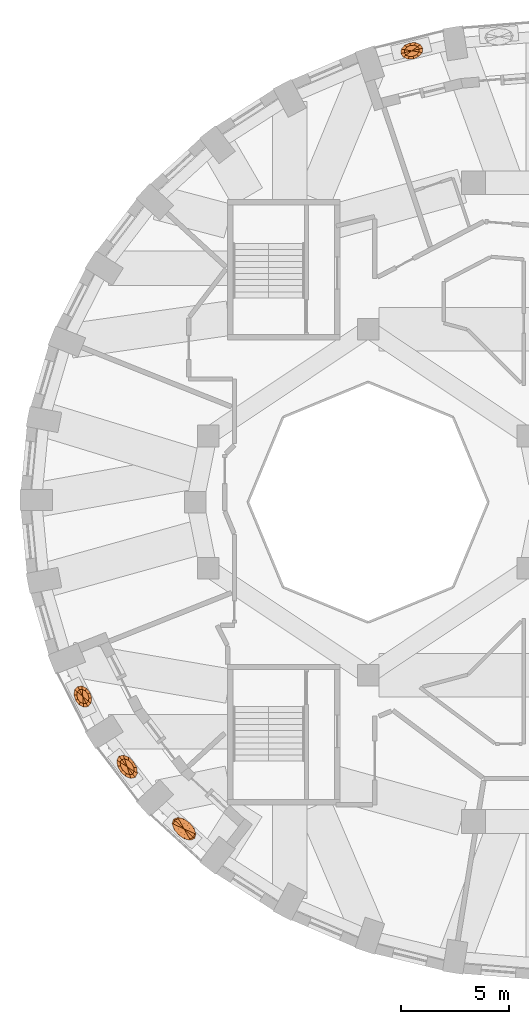
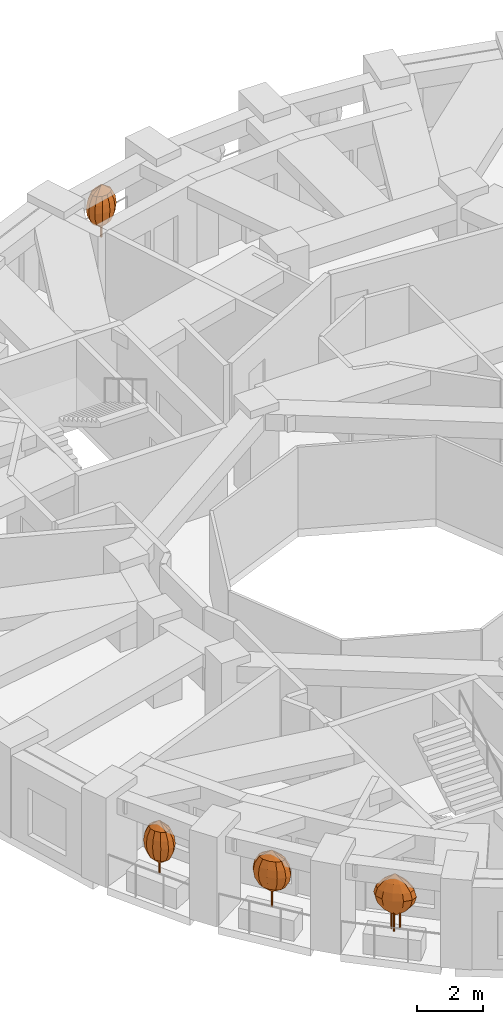
# One storey, part 10 of 11: 4 geographic elements.
"""IFC4 building model written with IfcOpenShell, lengths in metres."""

from ifc_helpers import new_model, si_unit, direction, frame, origin, place, context, subcontext, project, spatial, faceted_brep, material, constituent, constituent_set, type_object, element, save


model = new_model("IFC4")

# Units and contexts
model_context = context("Model", 3, precision=1e-05, world=origin(), true_north=direction((0.0, 1.0)))
body_context = subcontext(model_context, "Body", "Model", "MODEL_VIEW")
ifc_project = project(units=[si_unit("LENGTHUNIT", "METRE"), si_unit("AREAUNIT", "SQUARE_METRE"), si_unit("VOLUMEUNIT", "CUBIC_METRE"), si_unit("PLANEANGLEUNIT", "RADIAN"), si_unit("MASSUNIT", "GRAM", prefix="KILO")], contexts=[model_context])

# Site, building, storey
site_placement = place(None, origin())
site = spatial("IfcSite", under=ifc_project, at=site_placement, CompositionType="ELEMENT")
building_placement = place(site_placement, origin())
building = spatial("IfcBuilding", under=site, at=building_placement, Name="Taillehof Tower", CompositionType="ELEMENT")
storey_placement = place(building_placement, frame((0.0, 0.0, 174.800048828125)))
storey = spatial("IfcBuildingStorey", under=building, at=storey_placement, Name="L49", CompositionType="ELEMENT", Elevation=174.800048828125)

# Geographic elements
ifc_material_1 = material(Name="Tree bark", Category="timber")
ifc_constituent_1 = constituent(ifc_material_1, Name="Trunk", Category="timber")
ifc_material_2 = material(Name="Tree foliage")
ifc_constituent_2 = constituent(ifc_material_2, Name="Crown")
ifc_constituent_set_1 = constituent_set(constituents=[ifc_constituent_1, ifc_constituent_2], Name="Tree TR1 Columnar hornbeam")
geographic_element_type_1 = type_object("IfcGeographicElementType", Name="Tree TR1 Columnar hornbeam", PredefinedType="USERDEFINED", material=ifc_constituent_set_1)
geographic_element_1_placement = place(storey_placement, frame((-19.1455078125, -12.23876953125, 0.75)))
element("IfcGeographicElement", 1, at=geographic_element_1_placement, inside=storey, type_object=geographic_element_type_1, Name="Tree TR1 Columnar hornbeam", ObjectType="TREE", PredefinedType="USERDEFINED", context=body_context, shape_type="Brep", body=[
    faceted_brep([(0.030029296875, 0.0, 0.0), (0.021240234375, 0.021240234375, 0.0), (0.021240234375, 0.021240234375, 1.092529296875), (0.030029296875, 0.0, 1.092529296875), (0.0, 0.030029296875, 0.0), (0.0, 0.030029296875, 1.092529296875), (-0.021240234375, 0.021240234375, 0.0), (-0.021240234375, 0.021240234375, 1.092529296875), (-0.030029296875, 0.0, 0.0), (-0.030029296875, 0.0, 1.092529296875), (-0.021240234375, -0.021240234375, 0.0), (-0.021240234375, -0.021240234375, 1.092529296875), (0.0, -0.030029296875, 0.0), (0.0, -0.030029296875, 1.092529296875), (0.021240234375, -0.021240234375, 0.0), (0.021240234375, -0.021240234375, 1.092529296875)], [[[0, 1, 2, 3]], [[1, 4, 5, 2]], [[4, 6, 7, 5]], [[6, 8, 9, 7]], [[8, 10, 11, 9]], [[10, 12, 13, 11]], [[12, 14, 15, 13]], [[14, 0, 3, 15]], [[14, 12, 10, 8, 6, 4, 1, 0]], [[3, 2, 5, 7, 9, 11, 13, 15]]]),
    faceted_brep([(0.0, 0.0, 0.550048828125), (0.324951171875, -0.211181640625, 0.808349609375), (0.25634765625, -0.3349609375, 0.808349609375), (0.306640625, -0.03076171875, 0.808349609375), (0.2060546875, 0.15771484375, 0.808349609375), (0.05029296875, 0.30419921875, 0.808349609375), (-0.118896484375, 0.368896484375, 0.808349609375), (-0.25634765625, 0.3349609375, 0.808349609375), (-0.324951171875, 0.211181640625, 0.808349609375), (-0.306640625, 0.03076171875, 0.808349609375), (-0.2060546875, -0.15771484375, 0.808349609375), (-0.05029296875, -0.30419921875, 0.808349609375), (0.118896484375, -0.368896484375, 0.808349609375), (0.439697265625, -0.28564453125, 1.066650390625), (0.3466796875, -0.453125, 1.066650390625), (0.414794921875, -0.041748046875, 1.066650390625), (0.27880859375, 0.21337890625, 1.066650390625), (0.068115234375, 0.411376953125, 1.066650390625), (-0.160888671875, 0.4990234375, 1.066650390625), (-0.3466796875, 0.453125, 1.066650390625), (-0.439697265625, 0.28564453125, 1.066650390625), (-0.414794921875, 0.041748046875, 1.066650390625), (-0.27880859375, -0.21337890625, 1.066650390625), (-0.068115234375, -0.411376953125, 1.066650390625), (0.160888671875, -0.4990234375, 1.066650390625), (0.475830078125, -0.30908203125, 1.324951171875), (0.375244140625, -0.490234375, 1.324951171875), (0.448974609375, -0.045166015625, 1.324951171875), (0.3017578125, 0.23095703125, 1.324951171875), (0.07373046875, 0.4453125, 1.324951171875), (-0.174072265625, 0.5400390625, 1.324951171875), (-0.375244140625, 0.490234375, 1.324951171875), (-0.475830078125, 0.30908203125, 1.324951171875), (-0.448974609375, 0.045166015625, 1.324951171875), (-0.3017578125, -0.23095703125, 1.324951171875), (-0.07373046875, -0.4453125, 1.324951171875), (0.174072265625, -0.5400390625, 1.324951171875), (0.439697265625, -0.28564453125, 1.583251953125), (0.3466796875, -0.453125, 1.583251953125), (0.414794921875, -0.041748046875, 1.583251953125), (0.27880859375, 0.21337890625, 1.583251953125), (0.068115234375, 0.411376953125, 1.583251953125), (-0.160888671875, 0.4990234375, 1.583251953125), (-0.3466796875, 0.453125, 1.583251953125), (-0.439697265625, 0.28564453125, 1.583251953125), (-0.414794921875, 0.041748046875, 1.583251953125), (-0.27880859375, -0.21337890625, 1.583251953125), (-0.068115234375, -0.411376953125, 1.583251953125), (0.160888671875, -0.4990234375, 1.583251953125), (0.324951171875, -0.211181640625, 1.841552734375), (0.25634765625, -0.3349609375, 1.841552734375), (0.306640625, -0.03076171875, 1.841552734375), (0.2060546875, 0.15771484375, 1.841552734375), (0.05029296875, 0.30419921875, 1.841552734375), (-0.118896484375, 0.368896484375, 1.841552734375), (-0.25634765625, 0.3349609375, 1.841552734375), (-0.324951171875, 0.211181640625, 1.841552734375), (-0.306640625, 0.03076171875, 1.841552734375), (-0.2060546875, -0.15771484375, 1.841552734375), (-0.05029296875, -0.30419921875, 1.841552734375), (0.118896484375, -0.368896484375, 1.841552734375), (0.0, 0.0, 2.10009765625)], [[[0, 1, 2]], [[0, 3, 1]], [[0, 4, 3]], [[0, 5, 4]], [[0, 6, 5]], [[0, 7, 6]], [[0, 8, 7]], [[0, 9, 8]], [[0, 10, 9]], [[0, 11, 10]], [[0, 12, 11]], [[0, 2, 12]], [[2, 1, 13, 14]], [[1, 3, 15, 13]], [[3, 4, 16, 15]], [[4, 5, 17, 16]], [[5, 6, 18, 17]], [[6, 7, 19, 18]], [[7, 8, 20, 19]], [[8, 9, 21, 20]], [[9, 10, 22, 21]], [[10, 11, 23, 22]], [[11, 12, 24, 23]], [[12, 2, 14, 24]], [[14, 13, 25, 26]], [[13, 15, 27, 25]], [[15, 16, 28, 27]], [[16, 17, 29, 28]], [[17, 18, 30, 29]], [[18, 19, 31, 30]], [[19, 20, 32, 31]], [[20, 21, 33, 32]], [[21, 22, 34, 33]], [[22, 23, 35, 34]], [[23, 24, 36, 35]], [[24, 14, 26, 36]], [[26, 25, 37, 38]], [[25, 27, 39, 37]], [[27, 28, 40, 39]], [[28, 29, 41, 40]], [[29, 30, 42, 41]], [[30, 31, 43, 42]], [[31, 32, 44, 43]], [[32, 33, 45, 44]], [[33, 34, 46, 45]], [[34, 35, 47, 46]], [[35, 36, 48, 47]], [[36, 26, 38, 48]], [[38, 37, 49, 50]], [[37, 39, 51, 49]], [[39, 40, 52, 51]], [[40, 41, 53, 52]], [[41, 42, 54, 53]], [[42, 43, 55, 54]], [[43, 44, 56, 55]], [[44, 45, 57, 56]], [[45, 46, 58, 57]], [[46, 47, 59, 58]], [[47, 48, 60, 59]], [[48, 38, 50, 60]], [[50, 49, 61]], [[49, 51, 61]], [[51, 52, 61]], [[52, 53, 61]], [[53, 54, 61]], [[54, 55, 61]], [[55, 56, 61]], [[56, 57, 61]], [[57, 58, 61]], [[58, 59, 61]], [[59, 60, 61]], [[60, 50, 61]]]),
])
ifc_material_3 = material(Name="Tree bark", Category="timber")
ifc_constituent_3 = constituent(ifc_material_3, Name="Trunk", Category="timber")
ifc_material_4 = material(Name="Tree foliage")
ifc_constituent_4 = constituent(ifc_material_4, Name="Crown")
ifc_constituent_set_2 = constituent_set(constituents=[ifc_constituent_3, ifc_constituent_4], Name="Tree TR2 Fastigiate yew")
geographic_element_type_2 = type_object("IfcGeographicElementType", Name="Tree TR2 Fastigiate yew", PredefinedType="USERDEFINED", material=ifc_constituent_set_2)
geographic_element_2_placement = place(storey_placement, frame((-21.1943359375, -8.99169921875, 0.75)))
element("IfcGeographicElement", 2, at=geographic_element_2_placement, inside=storey, type_object=geographic_element_type_2, Name="Tree TR2 Fastigiate yew", ObjectType="TREE", PredefinedType="USERDEFINED", context=body_context, shape_type="Brep", body=[
    faceted_brep([(0.034912109375, 0.0, 0.0), (0.024658203125, 0.024658203125, 0.0), (0.024658203125, 0.024658203125, 0.909912109375), (0.034912109375, 0.0, 0.909912109375), (0.0, 0.034912109375, 0.0), (0.0, 0.034912109375, 0.909912109375), (-0.024658203125, 0.024658203125, 0.0), (-0.024658203125, 0.024658203125, 0.909912109375), (-0.034912109375, 0.0, 0.0), (-0.034912109375, 0.0, 0.909912109375), (-0.024658203125, -0.024658203125, 0.0), (-0.024658203125, -0.024658203125, 0.909912109375), (0.0, -0.034912109375, 0.0), (0.0, -0.034912109375, 0.909912109375), (0.024658203125, -0.024658203125, 0.0), (0.024658203125, -0.024658203125, 0.909912109375)], [[[0, 1, 2, 3]], [[1, 4, 5, 2]], [[4, 6, 7, 5]], [[6, 8, 9, 7]], [[8, 10, 11, 9]], [[10, 12, 13, 11]], [[12, 14, 15, 13]], [[14, 0, 3, 15]], [[14, 12, 10, 8, 6, 4, 1, 0]], [[3, 2, 5, 7, 9, 11, 13, 15]]]),
    faceted_brep([(0.0, 0.0, 0.35009765625), (0.255859375, -0.21630859375, 0.61669921875), (0.162109375, -0.31787109375, 0.61669921875), (0.28125, -0.056884765625, 0.61669921875), (0.231201171875, 0.117919921875, 0.61669921875), (0.119140625, 0.260986328125, 0.61669921875), (-0.024658203125, 0.334228515625, 0.61669921875), (-0.162109375, 0.31787109375, 0.61669921875), (-0.255859375, 0.21630859375, 0.61669921875), (-0.28125, 0.056884765625, 0.61669921875), (-0.231201171875, -0.117919921875, 0.61669921875), (-0.119140625, -0.260986328125, 0.61669921875), (0.024658203125, -0.334228515625, 0.61669921875), (0.34619140625, -0.292724609375, 0.88330078125), (0.21923828125, -0.43017578125, 0.88330078125), (0.380615234375, -0.076904296875, 0.88330078125), (0.312744140625, 0.159423828125, 0.88330078125), (0.161376953125, 0.35302734375, 0.88330078125), (-0.033447265625, 0.4521484375, 0.88330078125), (-0.21923828125, 0.43017578125, 0.88330078125), (-0.34619140625, 0.292724609375, 0.88330078125), (-0.380615234375, 0.076904296875, 0.88330078125), (-0.312744140625, -0.159423828125, 0.88330078125), (-0.161376953125, -0.35302734375, 0.88330078125), (0.033447265625, -0.4521484375, 0.88330078125), (0.374755859375, -0.31689453125, 1.14990234375), (0.2373046875, -0.465576171875, 1.14990234375), (0.411865234375, -0.083251953125, 1.14990234375), (0.338623046875, 0.172607421875, 1.14990234375), (0.174560546875, 0.38232421875, 1.14990234375), (-0.0361328125, 0.489501953125, 1.14990234375), (-0.2373046875, 0.465576171875, 1.14990234375), (-0.374755859375, 0.31689453125, 1.14990234375), (-0.411865234375, 0.083251953125, 1.14990234375), (-0.338623046875, -0.172607421875, 1.14990234375), (-0.174560546875, -0.38232421875, 1.14990234375), (0.0361328125, -0.489501953125, 1.14990234375), (0.34619140625, -0.292724609375, 1.416748046875), (0.21923828125, -0.43017578125, 1.416748046875), (0.380615234375, -0.076904296875, 1.416748046875), (0.312744140625, 0.159423828125, 1.416748046875), (0.161376953125, 0.35302734375, 1.416748046875), (-0.033447265625, 0.4521484375, 1.416748046875), (-0.21923828125, 0.43017578125, 1.416748046875), (-0.34619140625, 0.292724609375, 1.416748046875), (-0.380615234375, 0.076904296875, 1.416748046875), (-0.312744140625, -0.159423828125, 1.416748046875), (-0.161376953125, -0.35302734375, 1.416748046875), (0.033447265625, -0.4521484375, 1.416748046875), (0.255859375, -0.21630859375, 1.683349609375), (0.162109375, -0.31787109375, 1.683349609375), (0.28125, -0.056884765625, 1.683349609375), (0.231201171875, 0.117919921875, 1.683349609375), (0.119140625, 0.260986328125, 1.683349609375), (-0.024658203125, 0.334228515625, 1.683349609375), (-0.162109375, 0.31787109375, 1.683349609375), (-0.255859375, 0.21630859375, 1.683349609375), (-0.28125, 0.056884765625, 1.683349609375), (-0.231201171875, -0.117919921875, 1.683349609375), (-0.119140625, -0.260986328125, 1.683349609375), (0.024658203125, -0.334228515625, 1.683349609375), (0.0, 0.0, 1.949951171875)], [[[0, 1, 2]], [[0, 3, 1]], [[0, 4, 3]], [[0, 5, 4]], [[0, 6, 5]], [[0, 7, 6]], [[0, 8, 7]], [[0, 9, 8]], [[0, 10, 9]], [[0, 11, 10]], [[0, 12, 11]], [[0, 2, 12]], [[2, 1, 13, 14]], [[1, 3, 15, 13]], [[3, 4, 16, 15]], [[4, 5, 17, 16]], [[5, 6, 18, 17]], [[6, 7, 19, 18]], [[7, 8, 20, 19]], [[8, 9, 21, 20]], [[9, 10, 22, 21]], [[10, 11, 23, 22]], [[11, 12, 24, 23]], [[12, 2, 14, 24]], [[14, 13, 25, 26]], [[13, 15, 27, 25]], [[15, 16, 28, 27]], [[16, 17, 29, 28]], [[17, 18, 30, 29]], [[18, 19, 31, 30]], [[19, 20, 32, 31]], [[20, 21, 33, 32]], [[21, 22, 34, 33]], [[22, 23, 35, 34]], [[23, 24, 36, 35]], [[24, 14, 26, 36]], [[26, 25, 37, 38]], [[25, 27, 39, 37]], [[27, 28, 40, 39]], [[28, 29, 41, 40]], [[29, 30, 42, 41]], [[30, 31, 43, 42]], [[31, 32, 44, 43]], [[32, 33, 45, 44]], [[33, 34, 46, 45]], [[34, 35, 47, 46]], [[35, 36, 48, 47]], [[36, 26, 38, 48]], [[38, 37, 49, 50]], [[37, 39, 51, 49]], [[39, 40, 52, 51]], [[40, 41, 53, 52]], [[41, 42, 54, 53]], [[42, 43, 55, 54]], [[43, 44, 56, 55]], [[44, 45, 57, 56]], [[45, 46, 58, 57]], [[46, 47, 59, 58]], [[47, 48, 60, 59]], [[48, 38, 50, 60]], [[50, 49, 61]], [[49, 51, 61]], [[51, 52, 61]], [[52, 53, 61]], [[53, 54, 61]], [[54, 55, 61]], [[55, 56, 61]], [[56, 57, 61]], [[57, 58, 61]], [[58, 59, 61]], [[59, 60, 61]], [[60, 50, 61]]]),
])
geographic_element_3_placement = place(storey_placement, frame((-5.9794921875, 20.873779296875, 0.75)))
element("IfcGeographicElement", 3, at=geographic_element_3_placement, inside=storey, type_object=geographic_element_type_2, Name="Tree TR2 Fastigiate yew", ObjectType="TREE", PredefinedType="USERDEFINED", context=body_context, shape_type="Brep", body=[
    faceted_brep([(0.034912109375, 0.0, 0.0), (0.024658203125, 0.024658203125, 0.0), (0.024658203125, 0.024658203125, 0.909912109375), (0.034912109375, 0.0, 0.909912109375), (0.0, 0.034912109375, 0.0), (0.0, 0.034912109375, 0.909912109375), (-0.024658203125, 0.024658203125, 0.0), (-0.024658203125, 0.024658203125, 0.909912109375), (-0.034912109375, 0.0, 0.0), (-0.034912109375, 0.0, 0.909912109375), (-0.024658203125, -0.024658203125, 0.0), (-0.024658203125, -0.024658203125, 0.909912109375), (0.0, -0.034912109375, 0.0), (0.0, -0.034912109375, 0.909912109375), (0.024658203125, -0.024658203125, 0.0), (0.024658203125, -0.024658203125, 0.909912109375)], [[[0, 1, 2, 3]], [[1, 4, 5, 2]], [[4, 6, 7, 5]], [[6, 8, 9, 7]], [[8, 10, 11, 9]], [[10, 12, 13, 11]], [[12, 14, 15, 13]], [[14, 0, 3, 15]], [[14, 12, 10, 8, 6, 4, 1, 0]], [[3, 2, 5, 7, 9, 11, 13, 15]]]),
    faceted_brep([(0.0, 0.0, 0.35009765625), (-0.269287109375, -0.19970703125, 0.61669921875), (-0.3466796875, -0.0849609375, 0.61669921875), (-0.119873046875, -0.2607421875, 0.61669921875), (0.061767578125, -0.252197265625, 0.61669921875), (0.226806640625, -0.17578125, 0.61669921875), (0.3310546875, -0.052490234375, 0.61669921875), (0.3466796875, 0.0849609375, 0.61669921875), (0.269287109375, 0.19970703125, 0.61669921875), (0.119873046875, 0.2607421875, 0.61669921875), (-0.061767578125, 0.252197265625, 0.61669921875), (-0.226806640625, 0.17578125, 0.61669921875), (-0.3310546875, 0.052490234375, 0.61669921875), (-0.3642578125, -0.27001953125, 0.88330078125), (-0.468994140625, -0.114990234375, 0.88330078125), (-0.162109375, -0.352783203125, 0.88330078125), (0.08349609375, -0.341064453125, 0.88330078125), (0.306884765625, -0.23779296875, 0.88330078125), (0.44775390625, -0.071044921875, 0.88330078125), (0.468994140625, 0.114990234375, 0.88330078125), (0.3642578125, 0.27001953125, 0.88330078125), (0.162109375, 0.352783203125, 0.88330078125), (-0.08349609375, 0.341064453125, 0.88330078125), (-0.306884765625, 0.23779296875, 0.88330078125), (-0.44775390625, 0.071044921875, 0.88330078125), (-0.394287109375, -0.292236328125, 1.14990234375), (-0.507568359375, -0.12451171875, 1.14990234375), (-0.17529296875, -0.3818359375, 1.14990234375), (0.090576171875, -0.369140625, 1.14990234375), (0.33203125, -0.25732421875, 1.14990234375), (0.484619140625, -0.076904296875, 1.14990234375), (0.507568359375, 0.12451171875, 1.14990234375), (0.394287109375, 0.292236328125, 1.14990234375), (0.17529296875, 0.3818359375, 1.14990234375), (-0.090576171875, 0.369140625, 1.14990234375), (-0.33203125, 0.25732421875, 1.14990234375), (-0.484619140625, 0.076904296875, 1.14990234375), (-0.3642578125, -0.27001953125, 1.416748046875), (-0.468994140625, -0.114990234375, 1.416748046875), (-0.162109375, -0.352783203125, 1.416748046875), (0.08349609375, -0.341064453125, 1.416748046875), (0.306884765625, -0.23779296875, 1.416748046875), (0.44775390625, -0.071044921875, 1.416748046875), (0.468994140625, 0.114990234375, 1.416748046875), (0.3642578125, 0.27001953125, 1.416748046875), (0.162109375, 0.352783203125, 1.416748046875), (-0.08349609375, 0.341064453125, 1.416748046875), (-0.306884765625, 0.23779296875, 1.416748046875), (-0.44775390625, 0.071044921875, 1.416748046875), (-0.269287109375, -0.19970703125, 1.683349609375), (-0.3466796875, -0.0849609375, 1.683349609375), (-0.119873046875, -0.2607421875, 1.683349609375), (0.061767578125, -0.252197265625, 1.683349609375), (0.226806640625, -0.17578125, 1.683349609375), (0.3310546875, -0.052490234375, 1.683349609375), (0.3466796875, 0.0849609375, 1.683349609375), (0.269287109375, 0.19970703125, 1.683349609375), (0.119873046875, 0.2607421875, 1.683349609375), (-0.061767578125, 0.252197265625, 1.683349609375), (-0.226806640625, 0.17578125, 1.683349609375), (-0.3310546875, 0.052490234375, 1.683349609375), (0.0, 0.0, 1.949951171875)], [[[0, 1, 2]], [[0, 3, 1]], [[0, 4, 3]], [[0, 5, 4]], [[0, 6, 5]], [[0, 7, 6]], [[0, 8, 7]], [[0, 9, 8]], [[0, 10, 9]], [[0, 11, 10]], [[0, 12, 11]], [[0, 2, 12]], [[2, 1, 13, 14]], [[1, 3, 15, 13]], [[3, 4, 16, 15]], [[4, 5, 17, 16]], [[5, 6, 18, 17]], [[6, 7, 19, 18]], [[7, 8, 20, 19]], [[8, 9, 21, 20]], [[9, 10, 22, 21]], [[10, 11, 23, 22]], [[11, 12, 24, 23]], [[12, 2, 14, 24]], [[14, 13, 25, 26]], [[13, 15, 27, 25]], [[15, 16, 28, 27]], [[16, 17, 29, 28]], [[17, 18, 30, 29]], [[18, 19, 31, 30]], [[19, 20, 32, 31]], [[20, 21, 33, 32]], [[21, 22, 34, 33]], [[22, 23, 35, 34]], [[23, 24, 36, 35]], [[24, 14, 26, 36]], [[26, 25, 37, 38]], [[25, 27, 39, 37]], [[27, 28, 40, 39]], [[28, 29, 41, 40]], [[29, 30, 42, 41]], [[30, 31, 43, 42]], [[31, 32, 44, 43]], [[32, 33, 45, 44]], [[33, 34, 46, 45]], [[34, 35, 47, 46]], [[35, 36, 48, 47]], [[36, 26, 38, 48]], [[38, 37, 49, 50]], [[37, 39, 51, 49]], [[39, 40, 52, 51]], [[40, 41, 53, 52]], [[41, 42, 54, 53]], [[42, 43, 55, 54]], [[43, 44, 56, 55]], [[44, 45, 57, 56]], [[45, 46, 58, 57]], [[46, 47, 59, 58]], [[47, 48, 60, 59]], [[48, 38, 50, 60]], [[50, 49, 61]], [[49, 51, 61]], [[51, 52, 61]], [[52, 53, 61]], [[53, 54, 61]], [[54, 55, 61]], [[55, 56, 61]], [[56, 57, 61]], [[57, 58, 61]], [[58, 59, 61]], [[59, 60, 61]], [[60, 50, 61]]]),
])
ifc_material_5 = material(Name="Tree bark", Category="timber")
ifc_constituent_5 = constituent(ifc_material_5, Name="Trunk", Category="timber")
ifc_material_6 = material(Name="Tree foliage")
ifc_constituent_6 = constituent(ifc_material_6, Name="Crown")
ifc_constituent_set_3 = constituent_set(constituents=[ifc_constituent_5, ifc_constituent_6], Name="Tree TR3 Multi-stem serviceberry")
geographic_element_type_3 = type_object("IfcGeographicElementType", Name="Tree TR3 Multi-stem serviceberry", PredefinedType="USERDEFINED", material=ifc_constituent_set_3)
geographic_element_4_placement = place(storey_placement, frame((-16.51220703125, -15.110107421875, 0.75)))
element("IfcGeographicElement", 4, at=geographic_element_4_placement, inside=storey, type_object=geographic_element_type_3, Name="Tree TR3 Multi-stem serviceberry", ObjectType="TREE", PredefinedType="USERDEFINED", context=body_context, shape_type="Brep", body=[
    faceted_brep([(0.195068359375, 0.0, 0.0), (0.186767578125, 0.0205078125, 0.0), (0.186767578125, 0.0205078125, 1.04248046875), (0.195068359375, 0.0, 1.04248046875), (0.166259765625, 0.02880859375, 0.0), (0.166259765625, 0.02880859375, 1.04248046875), (0.145751953125, 0.0205078125, 0.0), (0.145751953125, 0.0205078125, 1.04248046875), (0.137451171875, 0.0, 0.0), (0.137451171875, 0.0, 1.04248046875), (0.145751953125, -0.0205078125, 0.0), (0.145751953125, -0.0205078125, 1.04248046875), (0.166259765625, -0.02880859375, 0.0), (0.166259765625, -0.02880859375, 1.04248046875), (0.186767578125, -0.0205078125, 0.0), (0.186767578125, -0.0205078125, 1.04248046875)], [[[0, 1, 2, 3]], [[1, 4, 5, 2]], [[4, 6, 7, 5]], [[6, 8, 9, 7]], [[8, 10, 11, 9]], [[10, 12, 13, 11]], [[12, 14, 15, 13]], [[14, 0, 3, 15]], [[14, 12, 10, 8, 6, 4, 1, 0]], [[3, 2, 5, 7, 9, 11, 13, 15]]]),
    faceted_brep([(-0.05419921875, 0.082275390625, 0.0), (-0.062744140625, 0.102783203125, 0.0), (-0.062744140625, 0.102783203125, 1.04248046875), (-0.05419921875, 0.082275390625, 1.04248046875), (-0.0830078125, 0.111083984375, 0.0), (-0.0830078125, 0.111083984375, 1.04248046875), (-0.103515625, 0.102783203125, 0.0), (-0.103515625, 0.102783203125, 1.04248046875), (-0.112060546875, 0.082275390625, 0.0), (-0.112060546875, 0.082275390625, 1.04248046875), (-0.103515625, 0.061767578125, 0.0), (-0.103515625, 0.061767578125, 1.04248046875), (-0.0830078125, 0.053466796875, 0.0), (-0.0830078125, 0.053466796875, 1.04248046875), (-0.062744140625, 0.061767578125, 0.0), (-0.062744140625, 0.061767578125, 1.04248046875)], [[[0, 1, 2, 3]], [[1, 4, 5, 2]], [[4, 6, 7, 5]], [[6, 8, 9, 7]], [[8, 10, 11, 9]], [[10, 12, 13, 11]], [[12, 14, 15, 13]], [[14, 0, 3, 15]], [[14, 12, 10, 8, 6, 4, 1, 0]], [[3, 2, 5, 7, 9, 11, 13, 15]]]),
    faceted_brep([(-0.05419921875, -0.082275390625, 0.0), (-0.062744140625, -0.061767578125, 0.0), (-0.062744140625, -0.061767578125, 1.04248046875), (-0.05419921875, -0.082275390625, 1.04248046875), (-0.0830078125, -0.053466796875, 0.0), (-0.0830078125, -0.053466796875, 1.04248046875), (-0.103515625, -0.061767578125, 0.0), (-0.103515625, -0.061767578125, 1.04248046875), (-0.112060546875, -0.082275390625, 0.0), (-0.112060546875, -0.082275390625, 1.04248046875), (-0.103515625, -0.102783203125, 0.0), (-0.103515625, -0.102783203125, 1.04248046875), (-0.0830078125, -0.111083984375, 0.0), (-0.0830078125, -0.111083984375, 1.04248046875), (-0.062744140625, -0.102783203125, 0.0), (-0.062744140625, -0.102783203125, 1.04248046875)], [[[0, 1, 2, 3]], [[1, 4, 5, 2]], [[4, 6, 7, 5]], [[6, 8, 9, 7]], [[8, 10, 11, 9]], [[10, 12, 13, 11]], [[12, 14, 15, 13]], [[14, 0, 3, 15]], [[14, 12, 10, 8, 6, 4, 1, 0]], [[3, 2, 5, 7, 9, 11, 13, 15]]]),
    faceted_brep([(0.0, 0.0, 0.5), (0.317626953125, -0.142822265625, 0.75830078125), (0.28173828125, -0.2578125, 0.75830078125), (0.2685546875, 0.010498046875, 0.75830078125), (0.147216796875, 0.1611328125, 0.75830078125), (-0.013427734375, 0.268310546875, 0.75830078125), (-0.17041015625, 0.3037109375, 0.75830078125), (-0.28173828125, 0.2578125, 0.75830078125), (-0.317626953125, 0.142822265625, 0.75830078125), (-0.2685546875, -0.010498046875, 0.75830078125), (-0.147216796875, -0.1611328125, 0.75830078125), (0.013427734375, -0.268310546875, 0.75830078125), (0.17041015625, -0.3037109375, 0.75830078125), (0.492919921875, -0.221435546875, 1.0166015625), (0.437255859375, -0.400146484375, 1.0166015625), (0.416748046875, 0.016357421875, 1.0166015625), (0.228515625, 0.25, 1.0166015625), (-0.020751953125, 0.41650390625, 1.0166015625), (-0.264404296875, 0.471435546875, 1.0166015625), (-0.437255859375, 0.400146484375, 1.0166015625), (-0.492919921875, 0.221435546875, 1.0166015625), (-0.416748046875, -0.016357421875, 1.0166015625), (-0.228515625, -0.25, 1.0166015625), (0.020751953125, -0.41650390625, 1.0166015625), (0.264404296875, -0.471435546875, 1.0166015625), (0.55322265625, -0.24853515625, 1.27490234375), (0.49072265625, -0.448974609375, 1.27490234375), (0.467529296875, 0.018310546875, 1.27490234375), (0.256591796875, 0.2802734375, 1.27490234375), (-0.023193359375, 0.46728515625, 1.27490234375), (-0.296630859375, 0.52880859375, 1.27490234375), (-0.49072265625, 0.448974609375, 1.27490234375), (-0.55322265625, 0.24853515625, 1.27490234375), (-0.467529296875, -0.018310546875, 1.27490234375), (-0.256591796875, -0.2802734375, 1.27490234375), (0.023193359375, -0.46728515625, 1.27490234375), (0.296630859375, -0.52880859375, 1.27490234375), (0.492919921875, -0.221435546875, 1.533447265625), (0.437255859375, -0.400146484375, 1.533447265625), (0.416748046875, 0.016357421875, 1.533447265625), (0.228515625, 0.25, 1.533447265625), (-0.020751953125, 0.41650390625, 1.533447265625), (-0.264404296875, 0.471435546875, 1.533447265625), (-0.437255859375, 0.400146484375, 1.533447265625), (-0.492919921875, 0.221435546875, 1.533447265625), (-0.416748046875, -0.016357421875, 1.533447265625), (-0.228515625, -0.25, 1.533447265625), (0.020751953125, -0.41650390625, 1.533447265625), (0.264404296875, -0.471435546875, 1.533447265625), (0.317626953125, -0.142822265625, 1.791748046875), (0.28173828125, -0.2578125, 1.791748046875), (0.2685546875, 0.010498046875, 1.791748046875), (0.147216796875, 0.1611328125, 1.791748046875), (-0.013427734375, 0.268310546875, 1.791748046875), (-0.17041015625, 0.3037109375, 1.791748046875), (-0.28173828125, 0.2578125, 1.791748046875), (-0.317626953125, 0.142822265625, 1.791748046875), (-0.2685546875, -0.010498046875, 1.791748046875), (-0.147216796875, -0.1611328125, 1.791748046875), (0.013427734375, -0.268310546875, 1.791748046875), (0.17041015625, -0.3037109375, 1.791748046875), (0.0, 0.0, 2.050048828125)], [[[0, 1, 2]], [[0, 3, 1]], [[0, 4, 3]], [[0, 5, 4]], [[0, 6, 5]], [[0, 7, 6]], [[0, 8, 7]], [[0, 9, 8]], [[0, 10, 9]], [[0, 11, 10]], [[0, 12, 11]], [[0, 2, 12]], [[2, 1, 13, 14]], [[1, 3, 15, 13]], [[3, 4, 16, 15]], [[4, 5, 17, 16]], [[5, 6, 18, 17]], [[6, 7, 19, 18]], [[7, 8, 20, 19]], [[8, 9, 21, 20]], [[9, 10, 22, 21]], [[10, 11, 23, 22]], [[11, 12, 24, 23]], [[12, 2, 14, 24]], [[14, 13, 25, 26]], [[13, 15, 27, 25]], [[15, 16, 28, 27]], [[16, 17, 29, 28]], [[17, 18, 30, 29]], [[18, 19, 31, 30]], [[19, 20, 32, 31]], [[20, 21, 33, 32]], [[21, 22, 34, 33]], [[22, 23, 35, 34]], [[23, 24, 36, 35]], [[24, 14, 26, 36]], [[26, 25, 37, 38]], [[25, 27, 39, 37]], [[27, 28, 40, 39]], [[28, 29, 41, 40]], [[29, 30, 42, 41]], [[30, 31, 43, 42]], [[31, 32, 44, 43]], [[32, 33, 45, 44]], [[33, 34, 46, 45]], [[34, 35, 47, 46]], [[35, 36, 48, 47]], [[36, 26, 38, 48]], [[38, 37, 49, 50]], [[37, 39, 51, 49]], [[39, 40, 52, 51]], [[40, 41, 53, 52]], [[41, 42, 54, 53]], [[42, 43, 55, 54]], [[43, 44, 56, 55]], [[44, 45, 57, 56]], [[45, 46, 58, 57]], [[46, 47, 59, 58]], [[47, 48, 60, 59]], [[48, 38, 50, 60]], [[50, 49, 61]], [[49, 51, 61]], [[51, 52, 61]], [[52, 53, 61]], [[53, 54, 61]], [[54, 55, 61]], [[55, 56, 61]], [[56, 57, 61]], [[57, 58, 61]], [[58, 59, 61]], [[59, 60, 61]], [[60, 50, 61]]]),
])

save(model, "model.ifc")
